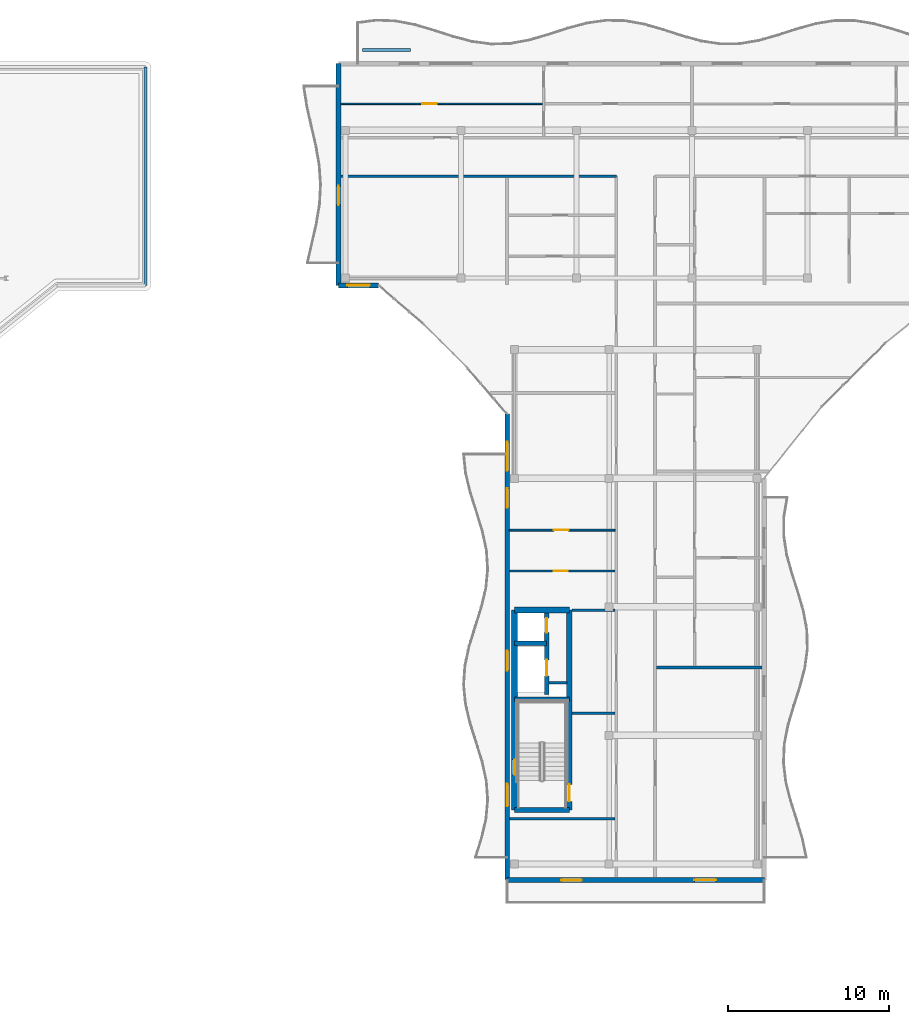
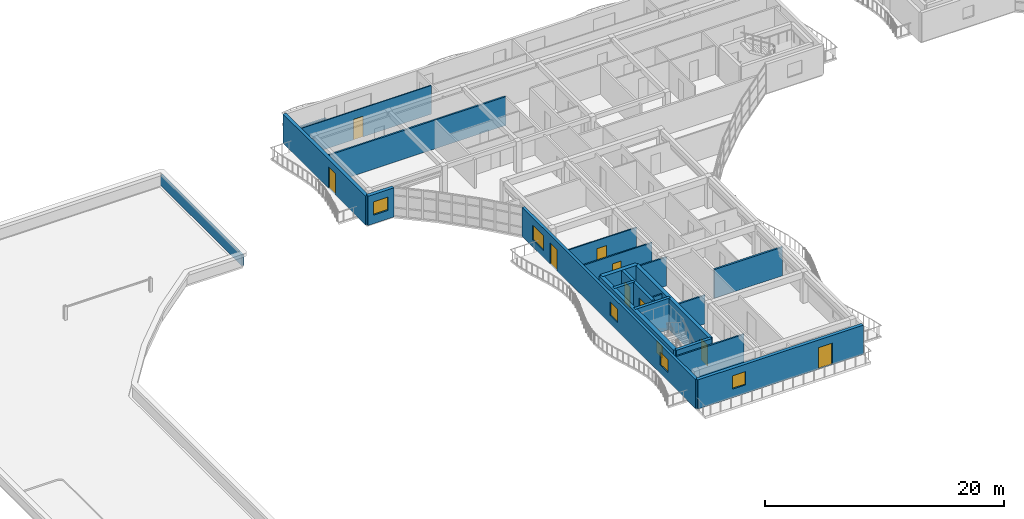
# One storey, part 21 of 39: 22 walls, 9 doors, 6 windows, 15 openings.
"""IFC4 building model written with IfcOpenShell, lengths in metres."""

from ifc_helpers import new_model, si_unit, direction, frame, frame_2d, origin, place, context, subcontext, project, spatial, rectangle, extrude, material, layer, layer_set, type_object, element, fill, save


model = new_model("IFC4")

# Units and contexts
model_context = context("Model", 3, precision=1e-05, world=origin(), true_north=direction((0.0, 1.0)))
body_context = subcontext(model_context, "Body", "Model", "MODEL_VIEW")
ifc_project = project(units=[si_unit("LENGTHUNIT", "METRE"), si_unit("AREAUNIT", "SQUARE_METRE"), si_unit("VOLUMEUNIT", "CUBIC_METRE"), si_unit("PLANEANGLEUNIT", "RADIAN"), si_unit("MASSUNIT", "GRAM", prefix="KILO")], contexts=[model_context])

# Site, building, storey
site_placement = place(None, origin())
site = spatial("IfcSite", under=ifc_project, at=site_placement, CompositionType="ELEMENT")
building_placement = place(site_placement, origin())
building = spatial("IfcBuilding", under=site, at=building_placement, Name="Keldmere Railside Commons", CompositionType="ELEMENT")
storey_placement = place(building_placement, frame((0.0, 0.0, 32.9599609375)))
storey = spatial("IfcBuildingStorey", under=building, at=storey_placement, Name="L10", CompositionType="ELEMENT", Elevation=32.9599609375)

# Wall
ifc_material_1 = material(Name="Acoustic Gypsum Board Partition", Category="gypsum")
ifc_layer_1 = layer(ifc_material_1, 0.179931640625, Name="Acoustic Demising Partition 180")
ifc_layer_set_1 = layer_set([ifc_layer_1], Name="Acoustic Gypsum Board Partition")
wall_type_1 = type_object("IfcWallType", Name="Acoustic Demising Partition 180", PredefinedType="PARTITIONING", material=ifc_layer_set_1)
wall_1_placement = place(storey_placement, frame((113.280029296875, 76.22998046875, 0.0), z_axis=(0.0, 0.0, 1.0), x_axis=(1.0, 0.0, 0.0)))
element("IfcWall", 1, at=wall_1_placement, inside=storey, type_object=wall_type_1, Name="IW-1 IW-L10-1328", PredefinedType="PARTITIONING", context=body_context, shape_type="SweptSolid", body=[
    extrude(rectangle(XDim=6.590087890625, YDim=0.179931640625, at=frame_2d((3.294921875, 0.0))), origin(), (0.0, 0.0, 1.0), 2.93505859375),
])

# Wall, opening, door
ifc_layer_2 = layer(ifc_material_1, 0.1201171875, Name="Apartment Interior Partition 120")
ifc_layer_set_2 = layer_set([ifc_layer_2], Name="Acoustic Gypsum Board Partition")
wall_type_2 = type_object("IfcWallType", Name="Apartment Interior Partition 120", PredefinedType="PARTITIONING", material=ifc_layer_set_2)
wall_2_placement = place(storey_placement, frame((104.1298828125, 84.780029296875, 0.0), z_axis=(0.0, 0.0, 1.0), x_axis=(1.0, 0.0, 0.0)))
wall_2 = element("IfcWall", 2, at=wall_2_placement, inside=storey, type_object=wall_type_2, Name="IW-4 IW-L10-1351", PredefinedType="PARTITIONING", context=body_context, shape_type="SweptSolid", body=[
    extrude(rectangle(XDim=6.590087890625, YDim=0.1201171875, at=frame_2d((3.294921875, 0.0))), origin(), (0.0, 0.0, 1.0), 2.93505859375),
])
opening_1_placement = place(wall_2_placement, frame((2.767822265625, 0.0, 0.0)))
opening_1 = element("IfcOpeningElement", 3, at=opening_1_placement, cuts=wall_2, Name="Opening ID-03", PredefinedType="OPENING", context=body_context, shape_type="SweptSolid", body=[
    extrude(rectangle(XDim=0.919921875, YDim=2.10009765625, at=frame_2d((0.4599609375, 1.050048828125))), frame((0.0, 0.070068359375, 0.0), z_axis=(0.0, -1.0, 0.0), x_axis=(1.0, 0.0, 0.0)), (0.0, 0.0, 1.0), 0.14013671875),
])
ifc_material_2 = material(Name="Engineered Oak Timber", Category="wood")
door_type_1 = type_object("IfcDoorType", Name="Kitchen Pocket-Frame Swing Door 920x2100", OperationType="NOTDEFINED", PredefinedType="DOOR", material=ifc_material_2)
door_1_placement = place(opening_1_placement, origin())
door_1 = element("IfcDoor", 4, at=door_1_placement, inside=storey, type_object=door_type_1, Name="ID-03 IDR-L10-1210", OperationType="SINGLE_SWING_RIGHT", OverallHeight=2.10009765625, OverallWidth=0.919921875, PredefinedType="DOOR", context=body_context, shape_type="SweptSolid", body=[
    extrude(rectangle(XDim=0.919921875, YDim=2.10009765625, at=frame_2d((0.4599609375, 1.050048828125))), frame((0.0, 0.02490234375, 0.0), z_axis=(0.0, -1.0, 0.0), x_axis=(1.0, 0.0, 0.0)), (0.0, 0.0, 1.0), 0.050048828125),
])
fill(opening_1, door_1)

# Wall
ifc_material_3 = material(Name="White Precast Concrete H-35 (C35/45)", Category="concrete")
ifc_layer_3 = layer(ifc_material_3, 0.169921875, Name="Balcony Planter Kerb Wall 170")
ifc_layer_set_3 = layer_set([ifc_layer_3], Name="White Precast Concrete H-35 (C35/45)")
wall_type_3 = type_object("IfcWallType", Name="Balcony Planter Kerb Wall 170", PredefinedType="PARAPET", material=ifc_layer_set_3)
wall_3_placement = place(storey_placement, frame((95.0, 114.64990234375, 0.0), z_axis=(0.0, 0.0, 1.0), x_axis=(1.0, 0.0, 0.0)))
element("IfcWall", 5, at=wall_3_placement, inside=storey, type_object=wall_type_3, Name="PW-2 PKBB-L10-0672", PredefinedType="PARAPET", context=body_context, shape_type="SweptSolid", body=[
    extrude(rectangle(XDim=3.0, YDim=0.169921875, at=frame_2d((1.5, 0.0))), origin(), (0.0, 0.0, 1.0), 0.449951171875),
])

# Wall, opening, door
ifc_layer_4 = layer(ifc_material_1, 0.10009765625, Name="Closet Light Partition 100")
ifc_layer_set_4 = layer_set([ifc_layer_4], Name="Acoustic Gypsum Board Partition")
wall_type_4 = type_object("IfcWallType", Name="Closet Light Partition 100", PredefinedType="PARTITIONING", material=ifc_layer_set_4)
wall_4_placement = place(storey_placement, frame((93.659912109375, 111.300048828125, 0.0), z_axis=(0.0, 0.0, 1.0), x_axis=(1.0, 0.0, 0.0)))
wall_4 = element("IfcWall", 6, at=wall_4_placement, inside=storey, type_object=wall_type_4, Name="IW-6 IW-L10-1342", PredefinedType="PARTITIONING", context=body_context, shape_type="SweptSolid", body=[
    extrude(rectangle(XDim=12.550048828125, YDim=0.10009765625, at=frame_2d((6.27490234375, 0.0))), origin(), (0.0, 0.0, 1.0), 2.93505859375),
])
opening_2_placement = place(wall_4_placement, frame((5.0439453125, 0.0, 0.0)))
opening_2 = element("IfcOpeningElement", 7, at=opening_2_placement, cuts=wall_4, Name="Opening ID-03", PredefinedType="OPENING", context=body_context, shape_type="SweptSolid", body=[
    extrude(rectangle(XDim=0.919921875, YDim=2.10009765625, at=frame_2d((0.4599609375, 1.050048828125))), frame((0.0, 0.06005859375, 0.0), z_axis=(0.0, -1.0, 0.0), x_axis=(1.0, 0.0, 0.0)), (0.0, 0.0, 1.0), 0.1201171875),
])
door_2_placement = place(opening_2_placement, origin())
door_2 = element("IfcDoor", 8, at=door_2_placement, inside=storey, type_object=door_type_1, Name="ID-03 IDR-L10-1195", OperationType="SINGLE_SWING_LEFT", OverallHeight=2.10009765625, OverallWidth=0.919921875, PredefinedType="DOOR", context=body_context, shape_type="SweptSolid", body=[
    extrude(rectangle(XDim=0.919921875, YDim=2.10009765625, at=frame_2d((0.4599609375, 1.050048828125))), frame((0.0, 0.02490234375, 0.0), z_axis=(0.0, -1.0, 0.0), x_axis=(1.0, 0.0, 0.0)), (0.0, 0.0, 1.0), 0.050048828125),
])
fill(opening_2, door_2)

# Walls
ifc_material_4 = material(Name="Concrete H-35 (C35/45)", Category="concrete")
ifc_layer_5 = layer(ifc_material_4, 0.280029296875, Name="Core Shear Wall 280")
ifc_layer_set_5 = layer_set([ifc_layer_5], Name="Concrete H-35 (C35/45)")
wall_type_5 = type_object("IfcWallType", Name="Core Shear Wall 280", PredefinedType="SHEAR", material=ifc_layer_set_5)
wall_5_placement = place(storey_placement, frame((104.4599609375, 74.239990234375, 0.0), z_axis=(0.0, 0.0, 1.0), x_axis=(1.0, 0.0, 0.0)))
element("IfcWall", 9, at=wall_5_placement, inside=storey, type_object=wall_type_5, Name="CSW-2 COREBM-L10-0556", PredefinedType="SHEAR", context=body_context, shape_type="SweptSolid", body=[
    extrude(rectangle(XDim=3.41015625, YDim=0.280029296875, at=frame_2d((1.705078125, 0.0))), origin(), (0.0, 0.0, 1.0), 3.199951171875),
])
wall_6_placement = place(storey_placement, frame((104.4599609375, 77.75, 0.0), z_axis=(0.0, 0.0, 1.0), x_axis=(1.0, 0.0, 0.0)))
element("IfcWall", 10, at=wall_6_placement, inside=storey, type_object=wall_type_5, Name="CSW-2 COREBL-L10-0557", PredefinedType="SHEAR", context=body_context, shape_type="SweptSolid", body=[
    extrude(rectangle(XDim=2.0, YDim=0.280029296875, at=frame_2d((1.0, 0.0))), origin(), (0.0, 0.0, 1.0), 3.199951171875),
])

# Wall, openings, doors
wall_7_placement = place(storey_placement, frame((106.4599609375, 74.550048828125, 0.0), z_axis=(0.0, 0.0, 1.0), x_axis=(0.0, 1.0, 0.0)))
wall_7 = element("IfcWall", 11, at=wall_7_placement, inside=storey, type_object=wall_type_5, Name="CSW-2 LSHB-L10-0558", PredefinedType="SHEAR", context=body_context, shape_type="SweptSolid", body=[
    extrude(rectangle(XDim=5.25, YDim=0.280029296875, at=frame_2d((2.625, 0.0))), origin(), (0.0, 0.0, 1.0), 3.199951171875),
])
opening_3_placement = place(wall_7_placement, frame((1.14990234375, 0.0, 0.0)))
opening_3 = element("IfcOpeningElement", 12, at=opening_3_placement, cuts=wall_7, Name="Opening LD-1", PredefinedType="OPENING", context=body_context, shape_type="SweptSolid", body=[
    extrude(rectangle(XDim=1.0, YDim=2.14990234375, at=frame_2d((0.5, 1.074951171875))), frame((0.0, 0.14990234375, 0.0), z_axis=(0.0, -1.0, 0.0), x_axis=(1.0, 0.0, 0.0)), (0.0, 0.0, 1.0), 0.300048828125),
])
opening_4_placement = place(wall_7_placement, frame((3.85009765625, 0.0, 0.0)))
opening_4 = element("IfcOpeningElement", 13, at=opening_4_placement, cuts=wall_7, Name="Opening LD-2", PredefinedType="OPENING", context=body_context, shape_type="SweptSolid", body=[
    extrude(rectangle(XDim=0.89990234375, YDim=2.14990234375, at=frame_2d((0.449951171875, 1.074951171875))), frame((0.0, 0.14990234375, 0.0), z_axis=(0.0, -1.0, 0.0), x_axis=(1.0, 0.0, 0.0)), (0.0, 0.0, 1.0), 0.300048828125),
])
ifc_material_5 = material(Name="Steel F-24 (S235)", Category="steel")
door_type_2 = type_object("IfcDoorType", Name="Firefighting Stretcher Lift Landing Door 1000x2150", OperationType="SLIDING_TO_LEFT", PredefinedType="DOOR", material=ifc_material_5)
door_3_placement = place(opening_3_placement, origin())
door_3 = element("IfcDoor", 14, at=door_3_placement, inside=storey, type_object=door_type_2, Name="LD-1 B L10", OperationType="SLIDING_TO_LEFT", OverallHeight=2.14990234375, OverallWidth=1.0, PredefinedType="DOOR", context=body_context, shape_type="SweptSolid", body=[
    extrude(rectangle(XDim=1.0, YDim=2.14990234375, at=frame_2d((0.5, 1.074951171875))), frame((0.0, 0.02490234375, 0.0), z_axis=(0.0, -1.0, 0.0), x_axis=(1.0, 0.0, 0.0)), (0.0, 0.0, 1.0), 0.050048828125),
])
fill(opening_3, door_3)
door_type_3 = type_object("IfcDoorType", Name="Passenger Lift Sliding Landing Door 900x2150", OperationType="SLIDING_TO_RIGHT", PredefinedType="DOOR", material=ifc_material_5)
door_4_placement = place(opening_4_placement, origin())
door_4 = element("IfcDoor", 15, at=door_4_placement, inside=storey, type_object=door_type_3, Name="LD-2 B L10", OperationType="SLIDING_TO_RIGHT", OverallHeight=2.14990234375, OverallWidth=0.89990234375, PredefinedType="DOOR", context=body_context, shape_type="SweptSolid", body=[
    extrude(rectangle(XDim=0.89990234375, YDim=2.14990234375, at=frame_2d((0.449951171875, 1.074951171875))), frame((0.0, 0.02490234375, 0.0), z_axis=(0.0, -1.0, 0.0), x_axis=(1.0, 0.0, 0.0)), (0.0, 0.0, 1.0), 0.050048828125),
])
fill(opening_4, door_4)

# Wall, opening, window
ifc_material_6 = material(Name="Concrete H-40 (C40/50)", Category="concrete")
ifc_layer_6 = layer(ifc_material_6, 0.3798828125, Name="Core Shear Wall 380")
ifc_layer_set_6 = layer_set([ifc_layer_6], Name="Concrete H-40 (C40/50)")
wall_type_6 = type_object("IfcWallType", Name="Core Shear Wall 380", PredefinedType="SHEAR", material=ifc_layer_set_6)
wall_8_placement = place(storey_placement, frame((104.4599609375, 67.35009765625, 0.0), z_axis=(0.0, 0.0, 1.0), x_axis=(0.0, 1.0, 0.0)))
wall_8 = element("IfcWall", 16, at=wall_8_placement, inside=storey, type_object=wall_type_6, Name="CW-CORE COREBW-L10-0552", PredefinedType="SHEAR", context=body_context, shape_type="SweptSolid", body=[
    extrude(rectangle(XDim=12.449951171875, YDim=0.3798828125, at=frame_2d((6.22509765625, 0.0))), origin(), (0.0, 0.0, 1.0), 3.199951171875),
])
opening_5_placement = place(wall_8_placement, frame((2.199951171875, 0.0, 0.969970703125)))
opening_5 = element("IfcOpeningElement", 17, at=opening_5_placement, cuts=wall_8, Name="Opening WN-17", PredefinedType="OPENING", context=body_context, shape_type="SweptSolid", body=[
    extrude(rectangle(XDim=0.949951171875, YDim=1.25, at=frame_2d((0.47509765625, 0.625))), frame((0.0, 0.199951171875, 0.0), z_axis=(0.0, -1.0, 0.0), x_axis=(1.0, 0.0, 0.0)), (0.0, 0.0, 1.0), 0.39990234375),
])
ifc_material_7 = material(Name="Low-E Insulated Double Glazing", Category="glass")
window_type_1 = type_object("IfcWindowType", Name="Stair Core Natural Smoke-Vent Window 950x1250", PartitioningType="SINGLE_PANEL", PredefinedType="WINDOW", material=ifc_material_7)
window_1_placement = place(opening_5_placement, origin())
window_1 = element("IfcWindow", 18, at=window_1_placement, inside=storey, type_object=window_type_1, Name="WN-17 WIN-L10-0347", OverallHeight=1.25, OverallWidth=0.949951171875, PartitioningType="SINGLE_PANEL", PredefinedType="WINDOW", context=body_context, shape_type="SweptSolid", body=[
    extrude(rectangle(XDim=0.949951171875, YDim=1.25, at=frame_2d((0.47509765625, 0.625))), frame((0.0, 0.030029296875, 0.0), z_axis=(0.0, -1.0, 0.0), x_axis=(1.0, 0.0, 0.0)), (0.0, 0.0, 1.0), 0.06005859375),
])
fill(opening_5, window_1)

# Walls
wall_9_placement = place(storey_placement, frame((104.4599609375, 79.800048828125, 0.0), z_axis=(0.0, 0.0, 1.0), x_axis=(1.0, 0.0, 0.0)))
element("IfcWall", 19, at=wall_9_placement, inside=storey, type_object=wall_type_6, Name="CW-CORE COREBN-L10-0553", PredefinedType="SHEAR", context=body_context, shape_type="SweptSolid", body=[
    extrude(rectangle(XDim=3.41015625, YDim=0.3798828125, at=frame_2d((1.705078125, 0.0))), origin(), (0.0, 0.0, 1.0), 3.199951171875),
])
ifc_layer_7 = layer(ifc_material_1, 0.159912109375, Name="Corridor Fire Partition 160")
ifc_layer_set_7 = layer_set([ifc_layer_7], Name="Acoustic Gypsum Board Partition")
wall_type_7 = type_object("IfcWallType", Name="Corridor Fire Partition 160", PredefinedType="PARTITIONING", material=ifc_layer_set_7)
wall_10_placement = place(storey_placement, frame((93.659912109375, 106.800048828125, 0.0), z_axis=(0.0, 0.0, 1.0), x_axis=(1.0, 0.0, 0.0)))
element("IfcWall", 20, at=wall_10_placement, inside=storey, type_object=wall_type_7, Name="IW-2 IW-L10-1321", PredefinedType="PARTITIONING", context=body_context, shape_type="SweptSolid", body=[
    extrude(rectangle(XDim=17.14013671875, YDim=0.159912109375, at=frame_2d((8.570068359375, 0.0))), origin(), (0.0, 0.0, 1.0), 2.93505859375),
])

# Wall, openings, door, window
ifc_layer_8 = layer(ifc_material_4, 0.320068359375, Name="Exterior Shear Wall 320")
ifc_layer_set_8 = layer_set([ifc_layer_8], Name="Concrete H-35 (C35/45)")
wall_type_8 = type_object("IfcWallType", Name="Exterior Shear Wall 320", PredefinedType="SHEAR", material=ifc_layer_set_8)
wall_11_placement = place(storey_placement, frame((120.0, 63.0, 0.0), z_axis=(0.0, 0.0, 1.0), x_axis=(-1.0, 0.0, 0.0)))
wall_11 = element("IfcWall", 21, at=wall_11_placement, inside=storey, type_object=wall_type_8, Name="ESW-2 EXTB-L10-0664", PredefinedType="SHEAR", context=body_context, shape_type="SweptSolid", body=[
    extrude(rectangle(XDim=16.0, YDim=0.320068359375, at=frame_2d((8.0, 0.0))), origin(), (0.0, 0.0, 1.0), 2.97998046875),
])
opening_6_placement = place(wall_11_placement, frame((3.0, 0.0, 0.0)))
opening_6 = element("IfcOpeningElement", 22, at=opening_6_placement, cuts=wall_11, Name="Opening BD-03", PredefinedType="OPENING", context=body_context, shape_type="SweptSolid", body=[
    extrude(rectangle(XDim=1.35009765625, YDim=2.199951171875, at=frame_2d((0.675048828125, 1.10009765625))), frame((0.0, 0.169921875, 0.0), z_axis=(0.0, -1.0, 0.0), x_axis=(1.0, 0.0, 0.0)), (0.0, 0.0, 1.0), 0.340087890625),
])
opening_7_placement = place(wall_11_placement, frame((11.375, 0.0, 0.8701171875)))
opening_7 = element("IfcOpeningElement", 23, at=opening_7_placement, cuts=wall_11, Name="Opening WN-09", PredefinedType="OPENING", context=body_context, shape_type="SweptSolid", body=[
    extrude(rectangle(XDim=1.25, YDim=1.35009765625, at=frame_2d((0.625, 0.675048828125))), frame((0.0, 0.169921875, 0.0), z_axis=(0.0, -1.0, 0.0), x_axis=(1.0, 0.0, 0.0)), (0.0, 0.0, 1.0), 0.340087890625),
])
ifc_material_8 = material(Name="Thermally Broken Aluminium", Category="aluminium")
door_type_4 = type_object("IfcDoorType", Name="Planted Roof-Terrace Lounge Door 1350x2200", OperationType="NOTDEFINED", PredefinedType="DOOR", material=ifc_material_8)
door_5_placement = place(opening_6_placement, origin())
door_5 = element("IfcDoor", 24, at=door_5_placement, inside=storey, type_object=door_type_4, Name="BD-03 DR-L10-0198", OperationType="SINGLE_SWING_RIGHT", OverallHeight=2.199951171875, OverallWidth=1.35009765625, PredefinedType="DOOR", context=body_context, shape_type="SweptSolid", body=[
    extrude(rectangle(XDim=1.35009765625, YDim=2.199951171875, at=frame_2d((0.675048828125, 1.10009765625))), frame((0.0, 0.02490234375, 0.0), z_axis=(0.0, -1.0, 0.0), x_axis=(1.0, 0.0, 0.0)), (0.0, 0.0, 1.0), 0.050048828125),
])
fill(opening_6, door_5)
window_type_2 = type_object("IfcWindowType", Name="Secondary Bedroom Window 1250x1350", PartitioningType="SINGLE_PANEL", PredefinedType="WINDOW", material=ifc_material_7)
window_2_placement = place(opening_7_placement, origin())
window_2 = element("IfcWindow", 25, at=window_2_placement, inside=storey, type_object=window_type_2, Name="WN-09 WIN-L10-0525", OverallHeight=1.35009765625, OverallWidth=1.25, PartitioningType="SINGLE_PANEL", PredefinedType="WINDOW", context=body_context, shape_type="SweptSolid", body=[
    extrude(rectangle(XDim=1.25, YDim=1.35009765625, at=frame_2d((0.625, 0.675048828125))), frame((0.0, 0.030029296875, 0.0), z_axis=(0.0, -1.0, 0.0), x_axis=(1.0, 0.0, 0.0)), (0.0, 0.0, 1.0), 0.06005859375),
])
fill(opening_7, window_2)

# Wall, opening, door
wall_12_placement = place(storey_placement, frame((93.5, 100.0, 0.0), z_axis=(0.0, 0.0, 1.0), x_axis=(0.0, 1.0, 0.0)))
wall_12 = element("IfcWall", 26, at=wall_12_placement, inside=storey, type_object=wall_type_8, Name="ESW-2 EXTB-L10-0669", PredefinedType="SHEAR", context=body_context, shape_type="SweptSolid", body=[
    extrude(rectangle(XDim=13.800048828125, YDim=0.320068359375, at=frame_2d((6.89990234375, 0.0))), origin(), (0.0, 0.0, 1.0), 2.97998046875),
])
opening_8_placement = place(wall_12_placement, frame((5.0, 0.0, 0.0)))
opening_8 = element("IfcOpeningElement", 27, at=opening_8_placement, cuts=wall_12, Name="Opening BD-01", PredefinedType="OPENING", context=body_context, shape_type="SweptSolid", body=[
    extrude(rectangle(XDim=1.199951171875, YDim=2.199951171875, at=frame_2d((0.60009765625, 1.10009765625))), frame((0.0, 0.169921875, 0.0), z_axis=(0.0, -1.0, 0.0), x_axis=(1.0, 0.0, 0.0)), (0.0, 0.0, 1.0), 0.340087890625),
])
door_type_5 = type_object("IfcDoorType", Name="Apartment Living Wave-Balcony Glazed Door 1200x2200", OperationType="NOTDEFINED", PredefinedType="DOOR", material=ifc_material_8)
door_6_placement = place(opening_8_placement, origin())
door_6 = element("IfcDoor", 28, at=door_6_placement, inside=storey, type_object=door_type_5, Name="BD-01 DR-L10-0204", OperationType="SINGLE_SWING_RIGHT", OverallHeight=2.199951171875, OverallWidth=1.199951171875, PredefinedType="DOOR", context=body_context, shape_type="SweptSolid", body=[
    extrude(rectangle(XDim=1.199951171875, YDim=2.199951171875, at=frame_2d((0.60009765625, 1.10009765625))), frame((0.0, 0.02490234375, 0.0), z_axis=(0.0, -1.0, 0.0), x_axis=(1.0, 0.0, 0.0)), (0.0, 0.0, 1.0), 0.050048828125),
])
fill(opening_8, door_6)

# Wall, opening, window
wall_13_placement = place(storey_placement, frame((96.0, 100.0, 0.0), z_axis=(0.0, 0.0, 1.0), x_axis=(-1.0, 0.0, 0.0)))
wall_13 = element("IfcWall", 29, at=wall_13_placement, inside=storey, type_object=wall_type_8, Name="ESW-2 EXTB-L10-0670", PredefinedType="SHEAR", context=body_context, shape_type="SweptSolid", body=[
    extrude(rectangle(XDim=2.5, YDim=0.320068359375, at=frame_2d((1.25, 0.0))), origin(), (0.0, 0.0, 1.0), 2.97998046875),
])
opening_9_placement = place(wall_13_placement, frame((0.550048828125, 0.0, 0.8701171875)))
opening_9 = element("IfcOpeningElement", 30, at=opening_9_placement, cuts=wall_13, Name="Opening WN-08", PredefinedType="OPENING", context=body_context, shape_type="SweptSolid", body=[
    extrude(rectangle(XDim=1.39990234375, YDim=1.35009765625, at=frame_2d((0.699951171875, 0.675048828125))), frame((0.0, 0.169921875, 0.0), z_axis=(0.0, -1.0, 0.0), x_axis=(1.0, 0.0, 0.0)), (0.0, 0.0, 1.0), 0.340087890625),
])
window_type_3 = type_object("IfcWindowType", Name="Primary Bedroom East/West Window 1400x1350", PartitioningType="SINGLE_PANEL", PredefinedType="WINDOW", material=ifc_material_7)
window_3_placement = place(opening_9_placement, origin())
window_3 = element("IfcWindow", 31, at=window_3_placement, inside=storey, type_object=window_type_3, Name="WN-08 WIN-L10-0537", OverallHeight=1.35009765625, OverallWidth=1.39990234375, PartitioningType="SINGLE_PANEL", PredefinedType="WINDOW", context=body_context, shape_type="SweptSolid", body=[
    extrude(rectangle(XDim=1.39990234375, YDim=1.35009765625, at=frame_2d((0.699951171875, 0.675048828125))), frame((0.0, 0.030029296875, 0.0), z_axis=(0.0, -1.0, 0.0), x_axis=(1.0, 0.0, 0.0)), (0.0, 0.0, 1.0), 0.06005859375),
])
fill(opening_9, window_3)

# Wall
ifc_layer_9 = layer(ifc_material_4, 0.300048828125, Name="Interior Shear Wall 300")
ifc_layer_set_9 = layer_set([ifc_layer_9], Name="Concrete H-35 (C35/45)")
wall_type_9 = type_object("IfcWallType", Name="Interior Shear Wall 300", PredefinedType="SHEAR", material=ifc_layer_set_9)
wall_14_placement = place(storey_placement, frame((107.8701171875, 67.35009765625, 0.0), z_axis=(0.0, 0.0, 1.0), x_axis=(-1.0, 0.0, 0.0)))
element("IfcWall", 32, at=wall_14_placement, inside=storey, type_object=wall_type_9, Name="ISW-2 COREBS-L10-0555", PredefinedType="SHEAR", context=body_context, shape_type="SweptSolid", body=[
    extrude(rectangle(XDim=3.41015625, YDim=0.300048828125, at=frame_2d((1.705078125, 0.0))), origin(), (0.0, 0.0, 1.0), 3.199951171875),
])

# Wall, opening, door
ifc_layer_10 = layer(ifc_material_4, 0.340087890625, Name="Interior Shear Wall 340")
ifc_layer_set_10 = layer_set([ifc_layer_10], Name="Concrete H-35 (C35/45)")
wall_type_10 = type_object("IfcWallType", Name="Interior Shear Wall 340", PredefinedType="SHEAR", material=ifc_layer_set_10)
wall_15_placement = place(storey_placement, frame((107.8701171875, 79.800048828125, 0.0), z_axis=(0.0, 0.0, 1.0), x_axis=(0.0, -1.0, 0.0)))
wall_15 = element("IfcWall", 33, at=wall_15_placement, inside=storey, type_object=wall_type_10, Name="ISW-1 COREBE-L10-0554", PredefinedType="SHEAR", context=body_context, shape_type="SweptSolid", body=[
    extrude(rectangle(XDim=12.449951171875, YDim=0.340087890625, at=frame_2d((6.22509765625, 0.0))), origin(), (0.0, 0.0, 1.0), 3.199951171875),
])
opening_10_placement = place(wall_15_placement, frame((10.85009765625, 0.0, 0.0)))
opening_10 = element("IfcOpeningElement", 34, at=opening_10_placement, cuts=wall_15, Name="Opening FD-1", PredefinedType="OPENING", context=body_context, shape_type="SweptSolid", body=[
    extrude(rectangle(XDim=1.050048828125, YDim=2.14990234375, at=frame_2d((0.52490234375, 1.074951171875))), frame((0.0, 0.179931640625, 0.0), z_axis=(0.0, -1.0, 0.0), x_axis=(1.0, 0.0, 0.0)), (0.0, 0.0, 1.0), 0.360107421875),
])
door_type_6 = type_object("IfcDoorType", Name="Stair Core Fire Door 1050x2150", OperationType="NOTDEFINED", PredefinedType="DOOR", material=ifc_material_5)
door_7_placement = place(opening_10_placement, origin())
door_7 = element("IfcDoor", 35, at=door_7_placement, inside=storey, type_object=door_type_6, Name="FD-1 B1 L10", OperationType="SINGLE_SWING_LEFT", OverallHeight=2.14990234375, OverallWidth=1.050048828125, PredefinedType="DOOR", context=body_context, shape_type="SweptSolid", body=[
    extrude(rectangle(XDim=1.050048828125, YDim=2.14990234375, at=frame_2d((0.52490234375, 1.074951171875))), frame((0.0, 0.02490234375, 0.0), z_axis=(0.0, -1.0, 0.0), x_axis=(1.0, 0.0, 0.0)), (0.0, 0.0, 1.0), 0.050048828125),
])
fill(opening_10, door_7)

# Walls
ifc_layer_11 = layer(ifc_material_1, 0.14990234375, Name="Lobby Rated Partition 150")
ifc_layer_set_11 = layer_set([ifc_layer_11], Name="Acoustic Gypsum Board Partition")
wall_type_11 = type_object("IfcWallType", Name="Lobby Rated Partition 150", PredefinedType="PARTITIONING", material=ifc_layer_set_11)
wall_16_placement = place(storey_placement, frame((106.60009765625, 75.280029296875, 0.0), z_axis=(0.0, 0.0, 1.0), x_axis=(1.0, 0.0, 0.0)))
element("IfcWall", 36, at=wall_16_placement, inside=storey, type_object=wall_type_11, Name="IW-3 RSRNB-L10-0559", PredefinedType="PARTITIONING", context=body_context, shape_type="SweptSolid", body=[
    extrude(rectangle(XDim=1.1298828125, YDim=0.14990234375, at=frame_2d((0.56494140625, 0.0))), origin(), (0.0, 0.0, 1.0), 2.949951171875),
])
wall_17_placement = place(storey_placement, frame((104.1298828125, 66.820068359375, 0.0), z_axis=(0.0, 0.0, 1.0), x_axis=(1.0, 0.0, 0.0)))
element("IfcWall", 37, at=wall_17_placement, inside=storey, type_object=wall_type_11, Name="IW-3 IW-L10-1316", PredefinedType="PARTITIONING", context=body_context, shape_type="SweptSolid", body=[
    extrude(rectangle(XDim=6.590087890625, YDim=0.14990234375, at=frame_2d((3.294921875, 0.0))), origin(), (0.0, 0.0, 1.0), 2.93505859375),
])
for number, where, z_axis, x_axis, name in (
    (38, (108.0400390625, 73.3798828125, 0.0), (0.0, 0.0, 1.0), (1.0, 0.0, 0.0), "IW-3 IW-L10-1317"),
    (39, (108.0400390625, 79.800048828125, 0.0), (0.0, 0.0, 1.0), (1.0, 0.0, 0.0), "IW-3 IW-L10-1318"),
):
    element("IfcWall", number, at=place(storey_placement, frame(where, z_axis=z_axis, x_axis=x_axis)), inside=storey, type_object=wall_type_11, Name=name, PredefinedType="PARTITIONING", context=body_context, shape_type="SweptSolid", body=[
        extrude(rectangle(XDim=2.679931640625, YDim=0.14990234375, at=frame_2d((1.33984375, 0.0))), origin(), (0.0, 0.0, 1.0), 2.93505859375),
    ])
ifc_material_9 = material(Name="Architectural Precast Concrete H-35 (C35/45)", Category="concrete")
ifc_layer_12 = layer(ifc_material_9, 0.18994140625, Name="Roof Parapet Wall 190")
ifc_layer_set_12 = layer_set([ifc_layer_12], Name="Architectural Precast Concrete H-35 (C35/45)")
wall_type_12 = type_object("IfcWallType", Name="Roof Parapet Wall 190", PredefinedType="PARAPET", material=ifc_layer_set_12)
wall_18_placement = place(storey_placement, frame((81.5, 113.60009765625, 0.0), z_axis=(0.0, 0.0, 1.0), x_axis=(0.0, -1.0, 0.0)))
element("IfcWall", 40, at=wall_18_placement, inside=storey, type_object=wall_type_12, Name="PW-1 PRPC-L10-0412", PredefinedType="PARAPET", context=body_context, shape_type="SweptSolid", body=[
    extrude(rectangle(XDim=13.60009765625, YDim=0.18994140625, at=frame_2d((6.800048828125, 0.0))), origin(), (0.0, 0.0, 1.0), 1.10009765625),
])

# Wall, openings, door, windows
ifc_material_10 = material(Name="Terracotta Brick Masonry", Category="masonry")
ifc_layer_13 = layer(ifc_material_10, 0.260009765625, Name="Terracotta Cavity Wall 260")
ifc_layer_set_13 = layer_set([ifc_layer_13], Name="Terracotta Brick Masonry")
wall_type_13 = type_object("IfcWallType", Name="Terracotta Cavity Wall 260", PredefinedType="SOLIDWALL", material=ifc_layer_set_13)
wall_19_placement = place(storey_placement, frame((104.0, 63.0, 0.0), z_axis=(0.0, 0.0, 1.0), x_axis=(0.0, 1.0, 0.0)))
wall_19 = element("IfcWall", 41, at=wall_19_placement, inside=storey, type_object=wall_type_13, Name="EW-1 EXTB-L10-0671", PredefinedType="SOLIDWALL", context=body_context, shape_type="SweptSolid", body=[
    extrude(rectangle(XDim=29.0, YDim=0.260009765625, at=frame_2d((14.5, 0.0))), origin(), (0.0, 0.0, 1.0), 2.97998046875),
])
opening_11_placement = place(wall_19_placement, frame((4.583251953125, 0.0, 0.8701171875)))
opening_11 = element("IfcOpeningElement", 42, at=opening_11_placement, cuts=wall_19, Name="Opening WN-08", PredefinedType="OPENING", context=body_context, shape_type="SweptSolid", body=[
    extrude(rectangle(XDim=1.39990234375, YDim=1.35009765625, at=frame_2d((0.699951171875, 0.675048828125))), frame((0.0, 0.139892578125, 0.0), z_axis=(0.0, -1.0, 0.0), x_axis=(1.0, 0.0, 0.0)), (0.0, 0.0, 1.0), 0.280029296875),
])
opening_12_placement = place(wall_19_placement, frame((13.02490234375, 0.0, 0.8701171875)))
opening_12 = element("IfcOpeningElement", 43, at=opening_12_placement, cuts=wall_19, Name="Opening WN-09", PredefinedType="OPENING", context=body_context, shape_type="SweptSolid", body=[
    extrude(rectangle(XDim=1.25, YDim=1.35009765625, at=frame_2d((0.625, 0.675048828125))), frame((0.0, 0.139892578125, 0.0), z_axis=(0.0, -1.0, 0.0), x_axis=(1.0, 0.0, 0.0)), (0.0, 0.0, 1.0), 0.280029296875),
])
opening_13_placement = place(wall_19_placement, frame((23.166748046875, 0.0, 0.0)))
opening_13 = element("IfcOpeningElement", 44, at=opening_13_placement, cuts=wall_19, Name="Opening BD-01", PredefinedType="OPENING", context=body_context, shape_type="SweptSolid", body=[
    extrude(rectangle(XDim=1.199951171875, YDim=2.199951171875, at=frame_2d((0.60009765625, 1.10009765625))), frame((0.0, 0.139892578125, 0.0), z_axis=(0.0, -1.0, 0.0), x_axis=(1.0, 0.0, 0.0)), (0.0, 0.0, 1.0), 0.280029296875),
])
opening_14_placement = place(wall_19_placement, frame((25.466796875, 0.0, 0.719970703125)))
opening_14 = element("IfcOpeningElement", 45, at=opening_14_placement, cuts=wall_19, Name="Opening WN-01", PredefinedType="OPENING", context=body_context, shape_type="SweptSolid", body=[
    extrude(rectangle(XDim=1.800048828125, YDim=1.5, at=frame_2d((0.89990234375, 0.75))), frame((0.0, 0.139892578125, 0.0), z_axis=(0.0, -1.0, 0.0), x_axis=(1.0, 0.0, 0.0)), (0.0, 0.0, 1.0), 0.280029296875),
])
door_8_placement = place(opening_13_placement, origin())
door_8 = element("IfcDoor", 46, at=door_8_placement, inside=storey, type_object=door_type_5, Name="BD-01 DR-L10-0205", OperationType="SINGLE_SWING_LEFT", OverallHeight=2.199951171875, OverallWidth=1.199951171875, PredefinedType="DOOR", context=body_context, shape_type="SweptSolid", body=[
    extrude(rectangle(XDim=1.199951171875, YDim=2.199951171875, at=frame_2d((0.60009765625, 1.10009765625))), frame((0.0, 0.02490234375, 0.0), z_axis=(0.0, -1.0, 0.0), x_axis=(1.0, 0.0, 0.0)), (0.0, 0.0, 1.0), 0.050048828125),
])
fill(opening_13, door_8)
window_type_4 = type_object("IfcWindowType", Name="Living Room North Casement Window 1800x1500", PartitioningType="SINGLE_PANEL", PredefinedType="WINDOW", material=ifc_material_7)
window_4_placement = place(opening_14_placement, origin())
window_4 = element("IfcWindow", 47, at=window_4_placement, inside=storey, type_object=window_type_4, Name="WN-01 WIN-L10-0540", OverallHeight=1.5, OverallWidth=1.800048828125, PartitioningType="SINGLE_PANEL", PredefinedType="WINDOW", context=body_context, shape_type="SweptSolid", body=[
    extrude(rectangle(XDim=1.800048828125, YDim=1.5, at=frame_2d((0.89990234375, 0.75))), frame((0.0, 0.030029296875, 0.0), z_axis=(0.0, -1.0, 0.0), x_axis=(1.0, 0.0, 0.0)), (0.0, 0.0, 1.0), 0.06005859375),
])
fill(opening_14, window_4)
window_5_placement = place(opening_11_placement, origin())
window_5 = element("IfcWindow", 48, at=window_5_placement, inside=storey, type_object=window_type_3, Name="WN-08 WIN-L10-0538", OverallHeight=1.35009765625, OverallWidth=1.39990234375, PartitioningType="SINGLE_PANEL", PredefinedType="WINDOW", context=body_context, shape_type="SweptSolid", body=[
    extrude(rectangle(XDim=1.39990234375, YDim=1.35009765625, at=frame_2d((0.699951171875, 0.675048828125))), frame((0.0, 0.030029296875, 0.0), z_axis=(0.0, -1.0, 0.0), x_axis=(1.0, 0.0, 0.0)), (0.0, 0.0, 1.0), 0.06005859375),
])
fill(opening_11, window_5)
window_6_placement = place(opening_12_placement, origin())
window_6 = element("IfcWindow", 49, at=window_6_placement, inside=storey, type_object=window_type_2, Name="WN-09 WIN-L10-0539", OverallHeight=1.35009765625, OverallWidth=1.25, PartitioningType="SINGLE_PANEL", PredefinedType="WINDOW", context=body_context, shape_type="SweptSolid", body=[
    extrude(rectangle(XDim=1.25, YDim=1.35009765625, at=frame_2d((0.625, 0.675048828125))), frame((0.0, 0.030029296875, 0.0), z_axis=(0.0, -1.0, 0.0), x_axis=(1.0, 0.0, 0.0)), (0.0, 0.0, 1.0), 0.06005859375),
])
fill(opening_12, window_6)

# Wall, opening, door
ifc_layer_14 = layer(ifc_material_1, 0.139892578125, Name="Wet-Room Sanitary Partition 140")
ifc_layer_set_14 = layer_set([ifc_layer_14], Name="Acoustic Gypsum Board Partition")
wall_type_14 = type_object("IfcWallType", Name="Wet-Room Sanitary Partition 140", PredefinedType="PARTITIONING", material=ifc_layer_set_14)
wall_20_placement = place(storey_placement, frame((104.1298828125, 82.22998046875, 0.0), z_axis=(0.0, 0.0, 1.0), x_axis=(1.0, 0.0, 0.0)))
wall_20 = element("IfcWall", 50, at=wall_20_placement, inside=storey, type_object=wall_type_14, Name="IW-5 IW-L10-1350", PredefinedType="PARTITIONING", context=body_context, shape_type="SweptSolid", body=[
    extrude(rectangle(XDim=6.590087890625, YDim=0.139892578125, at=frame_2d((3.294921875, 0.0))), origin(), (0.0, 0.0, 1.0), 2.93505859375),
])
opening_15_placement = place(wall_20_placement, frame((2.767822265625, 0.0, 0.0)))
opening_15 = element("IfcOpeningElement", 51, at=opening_15_placement, cuts=wall_20, Name="Opening ID-04", PredefinedType="OPENING", context=body_context, shape_type="SweptSolid", body=[
    extrude(rectangle(XDim=0.860107421875, YDim=2.10009765625, at=frame_2d((0.43017578125, 1.050048828125))), frame((0.0, 0.079833984375, 0.0), z_axis=(0.0, -1.0, 0.0), x_axis=(1.0, 0.0, 0.0)), (0.0, 0.0, 1.0), 0.159912109375),
])
door_type_7 = type_object("IfcDoorType", Name="Apartment Bathroom Door 860x2100", OperationType="NOTDEFINED", PredefinedType="DOOR", material=ifc_material_2)
door_9_placement = place(opening_15_placement, origin())
door_9 = element("IfcDoor", 52, at=door_9_placement, inside=storey, type_object=door_type_7, Name="ID-04 IDR-L10-1209", OperationType="SINGLE_SWING_LEFT", OverallHeight=2.10009765625, OverallWidth=0.860107421875, PredefinedType="DOOR", context=body_context, shape_type="SweptSolid", body=[
    extrude(rectangle(XDim=0.860107421875, YDim=2.10009765625, at=frame_2d((0.43017578125, 1.050048828125))), frame((0.0, 0.02490234375, 0.0), z_axis=(0.0, -1.0, 0.0), x_axis=(1.0, 0.0, 0.0)), (0.0, 0.0, 1.0), 0.050048828125),
])
fill(opening_15, door_9)

save(model, "model.ifc")
